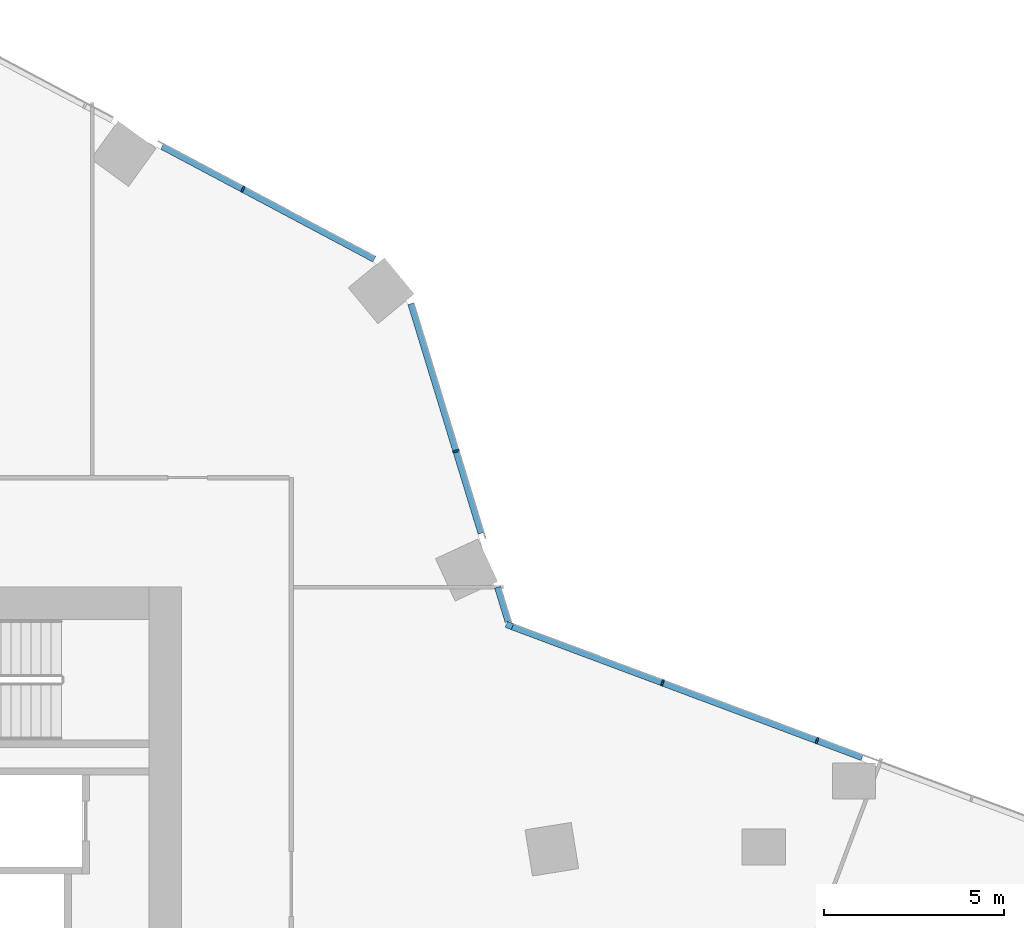
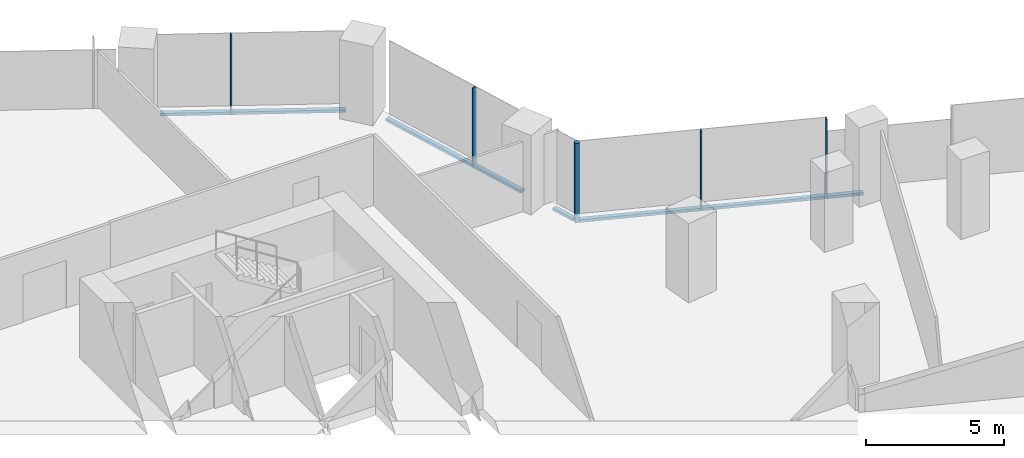
# One storey, part 13 of 31: 9 members, 3 elements without a shape of their own.
"""IFC4 building model written with IfcOpenShell, lengths in metres."""

from ifc_helpers import new_model, si_unit, direction, frame, origin, origin_2d, place, context, subcontext, project, spatial, rectangle, extrude, material, material_profile, profile_set, type_object, element, aggregate, save


model = new_model("IFC4")

# Units and contexts
model_context = context("Model", 3, precision=1e-05, world=origin(), true_north=direction((0.0, 1.0)))
body_context = subcontext(model_context, "Body", "Model", "MODEL_VIEW")
ifc_project = project(units=[si_unit("LENGTHUNIT", "METRE"), si_unit("AREAUNIT", "SQUARE_METRE"), si_unit("VOLUMEUNIT", "CUBIC_METRE"), si_unit("PLANEANGLEUNIT", "RADIAN"), si_unit("MASSUNIT", "GRAM", prefix="KILO")], contexts=[model_context])

# Site, building, storey
site_placement = place(None, origin())
site = spatial("IfcSite", under=ifc_project, at=site_placement, CompositionType="ELEMENT")
building_placement = place(site_placement, origin())
building = spatial("IfcBuilding", under=site, at=building_placement, Name="Orlundy Tower", CompositionType="ELEMENT")
storey_placement = place(building_placement, frame((0.0, 0.0, 94.699951171875)))
storey = spatial("IfcBuildingStorey", under=building, at=storey_placement, Name="L23", CompositionType="ELEMENT", Elevation=94.699951171875)

# Curtain wall, member
ifc_material_1 = material(Name="Aluminium bronze anodised", Category="aluminium")
curtain_wall_type = type_object("IfcCurtainWallType", Name="CW1 wall", PredefinedType="NOTDEFINED", material=ifc_material_1)
curtain_wall_1_placement = place(storey_placement, origin())
curtain_wall_1 = element("IfcCurtainWall", 1, at=curtain_wall_1_placement, inside=storey, type_object=curtain_wall_type, Name="CW1 run 06", PredefinedType="NOTDEFINED")
ifc_material_2 = material(Name="Aluminium bronze anodised", Category="aluminium")
ifc_material_profile_1 = material_profile(ifc_material_2, rectangle(XDim=0.179931640625, YDim=0.179931640625, at=origin_2d()), Name="CW1 corner post 180x180")
ifc_profile_set_1 = profile_set([ifc_material_profile_1], Name="Aluminium bronze anodised")
member_type_1 = type_object("IfcMemberType", Name="CW1 corner post 180x180", PredefinedType="MULLION", material=ifc_profile_set_1)
member_1_placement = place(storey_placement, frame((28.1220703125, 10.933837890625, -0.39990234375), z_axis=(0.0, 0.0, 1.0), x_axis=(0.350203812273, 0.93667352363, 0.0)))
member_1 = element("IfcMember", 2, at=member_1_placement, type_object=member_type_1, Name="CW1 mullion 26", PredefinedType="MULLION", context=body_context, shape_type="SweptSolid", body=[
    extrude(rectangle(XDim=0.179931640625, YDim=0.179931640625, at=origin_2d()), origin(), (0.0, 0.0, 1.0), 3.5),
])

curtain_wall_2_placement = place(storey_placement, origin())
curtain_wall_2 = element("IfcCurtainWall", 3, at=curtain_wall_2_placement, inside=storey, type_object=curtain_wall_type, Name="CW1 run 04", PredefinedType="NOTDEFINED")
ifc_material_3 = material(Name="Aluminium bronze anodised", Category="aluminium")
ifc_material_profile_2 = material_profile(ifc_material_3, rectangle(XDim=0.179931640625, YDim=0.050048828125, at=origin_2d()), Name="CW1 mullion 50x180")
ifc_profile_set_2 = profile_set([ifc_material_profile_2], Name="Aluminium bronze anodised")
member_type_2 = type_object("IfcMemberType", Name="CW1 mullion 50x180", PredefinedType="MULLION", material=ifc_profile_set_2)
member_2_placement = place(storey_placement, frame((20.70947265625, 23.06787109375, -0.39990234375), z_axis=(0.0, 0.0, 1.0), x_axis=(0.469445471129, 0.882961465544, 0.0)))
member_2 = element("IfcMember", 4, at=member_2_placement, type_object=member_type_2, Name="CW1 mullion 23", PredefinedType="MULLION", context=body_context, shape_type="SweptSolid", body=[
    extrude(rectangle(XDim=0.179931640625, YDim=0.050048828125, at=origin_2d()), origin(), (0.0, 0.0, 1.0), 3.5),
])

curtain_wall_3_placement = place(storey_placement, origin())
curtain_wall_3 = element("IfcCurtainWall", 5, at=curtain_wall_3_placement, inside=storey, type_object=curtain_wall_type, Name="CW1 run 05", PredefinedType="NOTDEFINED")
member_3_placement = place(storey_placement, frame((26.638671875, 15.786376953125, -0.39990234375), z_axis=(0.0, 0.0, 1.0), x_axis=(0.956307579156, 0.292362470314, 0.0)))
member_3 = element("IfcMember", 6, at=member_3_placement, type_object=member_type_2, Name="CW1 mullion 25", PredefinedType="MULLION", context=body_context, shape_type="SweptSolid", body=[
    extrude(rectangle(XDim=0.179931640625, YDim=0.050048828125, at=origin_2d()), origin(), (0.0, 0.0, 1.0), 3.5),
])

# Member
member_4_placement = place(storey_placement, frame((32.378662109375, 9.34228515625, -0.39990234375), z_axis=(0.0, 0.0, 1.0), x_axis=(0.350203812273, 0.93667352363, 0.0)))
member_4 = element("IfcMember", 7, at=member_4_placement, type_object=member_type_2, Name="CW1 mullion 27", PredefinedType="MULLION", context=body_context, shape_type="SweptSolid", body=[
    extrude(rectangle(XDim=0.179931640625, YDim=0.050048828125, at=origin_2d()), origin(), (0.0, 0.0, 1.0), 3.5),
])

member_5_placement = place(storey_placement, frame((36.6767578125, 7.7353515625, -0.39990234375), z_axis=(0.0, 0.0, 1.0), x_axis=(0.350203812273, 0.93667352363, 0.0)))
member_5 = element("IfcMember", 8, at=member_5_placement, type_object=member_type_2, Name="CW1 mullion 28", PredefinedType="MULLION", context=body_context, shape_type="SweptSolid", body=[
    extrude(rectangle(XDim=0.179931640625, YDim=0.050048828125, at=origin_2d()), origin(), (0.0, 0.0, 1.0), 3.5),
])

ifc_material_4 = material(Name="Aluminium bronze anodised", Category="aluminium")
ifc_material_profile_3 = material_profile(ifc_material_4, rectangle(XDim=0.179931640625, YDim=0.1201171875, at=origin_2d()), Name="CW1 transom 180x120")
ifc_profile_set_3 = profile_set([ifc_material_profile_3], Name="Aluminium bronze anodised")
member_type_3 = type_object("IfcMemberType", Name="CW1 transom 180x120", PredefinedType="USERDEFINED", material=ifc_profile_set_3)
member_6_placement = place(storey_placement, frame((18.46337890625, 24.261962890625, -0.33984375), z_axis=(0.882967709111, -0.469433727662, 0.0), x_axis=(0.469433727662, 0.882967709111, 0.0)))
member_6 = element("IfcMember", 9, at=member_6_placement, type_object=member_type_3, Name="CW1 transom", ObjectType="TRANSOM", PredefinedType="USERDEFINED", context=body_context, shape_type="SweptSolid", body=[
    extrude(rectangle(XDim=0.179931640625, YDim=0.1201171875, at=origin_2d()), origin(), (0.0, 0.0, 1.0), 6.6865234375),
])

aggregate(curtain_wall_2, [member_2, member_6])

member_7_placement = place(storey_placement, frame((25.384521484375, 19.88818359375, -0.33984375), z_axis=(0.29237817576, -0.956302777545, 0.0), x_axis=(0.956302777545, 0.29237817576, 0.0)))
member_7 = element("IfcMember", 10, at=member_7_placement, type_object=member_type_3, Name="CW1 transom", ObjectType="TRANSOM", PredefinedType="USERDEFINED", context=body_context, shape_type="SweptSolid", body=[
    extrude(rectangle(XDim=0.179931640625, YDim=0.1201171875, at=origin_2d()), origin(), (0.0, 0.0, 1.0), 6.6826171875),
])

member_8_placement = place(storey_placement, frame((27.796630859375, 11.998291015625, -0.33984375), z_axis=(0.292317803048, -0.956321233698, 0.0), x_axis=(0.956321233698, 0.292317803048, 0.0)))
member_8 = element("IfcMember", 11, at=member_8_placement, type_object=member_type_3, Name="CW1 transom", ObjectType="TRANSOM", PredefinedType="USERDEFINED", context=body_context, shape_type="SweptSolid", body=[
    extrude(rectangle(XDim=0.179931640625, YDim=0.1201171875, at=origin_2d()), origin(), (0.0, 0.0, 1.0), 0.999755859375),
])

aggregate(curtain_wall_3, [member_3, member_7, member_8])

member_9_placement = place(storey_placement, frame((28.206298828125, 10.90234375, -0.33984375), z_axis=(0.936668771124, -0.350216523313, 0.0), x_axis=(0.350216523313, 0.936668771124, 0.0)))
member_9 = element("IfcMember", 12, at=member_9_placement, type_object=member_type_3, Name="CW1 transom", ObjectType="TRANSOM", PredefinedType="USERDEFINED", context=body_context, shape_type="SweptSolid", body=[
    extrude(rectangle(XDim=0.179931640625, YDim=0.1201171875, at=origin_2d()), origin(), (0.0, 0.0, 1.0), 10.38623046875),
])

aggregate(curtain_wall_1, [member_1, member_4, member_5, member_9])

save(model, "model.ifc")
